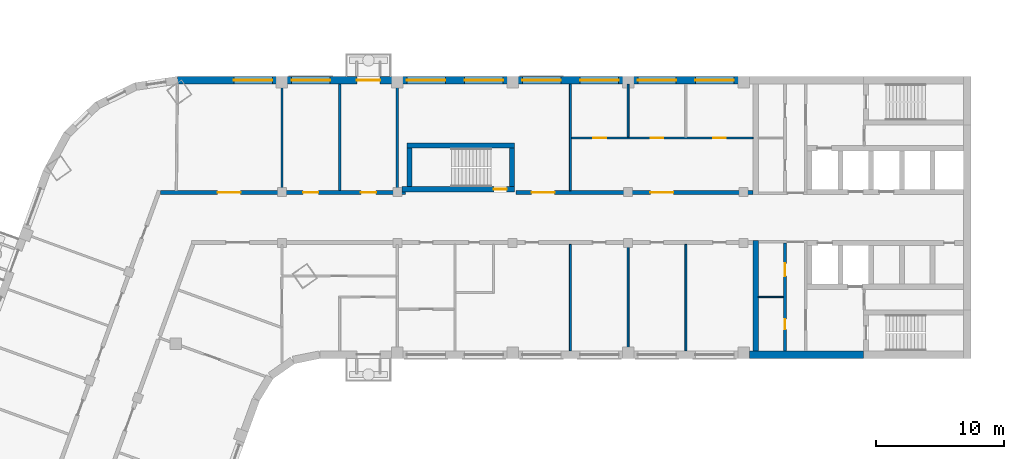
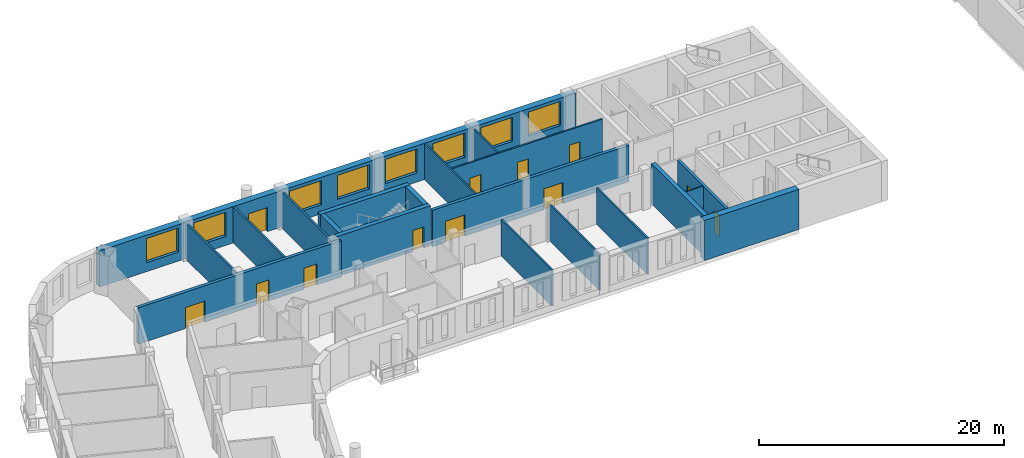
# One storey, part 5 of 16: 20 walls, 12 doors, 8 windows, 20 openings.
"""IFC4 building model written with IfcOpenShell, lengths in metres."""

from ifc_helpers import new_model, si_unit, direction, frame, frame_2d, origin, place, context, subcontext, project, spatial, rectangle, extrude, material, layer, layer_set, type_object, element, fill, save


model = new_model("IFC4")

# Units and contexts
model_context = context("Model", 3, precision=1e-05, world=origin(), true_north=direction((0.0, 1.0)))
body_context = subcontext(model_context, "Body", "Model", "MODEL_VIEW")
ifc_project = project(units=[si_unit("LENGTHUNIT", "METRE"), si_unit("AREAUNIT", "SQUARE_METRE"), si_unit("VOLUMEUNIT", "CUBIC_METRE"), si_unit("PLANEANGLEUNIT", "RADIAN"), si_unit("MASSUNIT", "GRAM", prefix="KILO")], contexts=[model_context])

# Site, building, storey
site_placement = place(None, origin())
site = spatial("IfcSite", under=ifc_project, at=site_placement, CompositionType="ELEMENT")
building_placement = place(site_placement, origin())
building = spatial("IfcBuilding", under=site, at=building_placement, Name="Skarvind Civic Tower", CompositionType="ELEMENT")
storey_placement = place(building_placement, frame((0.0, 0.0, 67.5)))
storey = spatial("IfcBuildingStorey", under=building, at=storey_placement, Name="L15", CompositionType="ELEMENT", Elevation=67.5)

# Walls
ifc_material_1 = material(Name="Acoustic gypsum board on steel studs", Category="steel")
ifc_layer_1 = layer(ifc_material_1, 0.175048828125)
ifc_layer_set_1 = layer_set([ifc_layer_1], Name="ACOUSTIC MEETING-ROOM PARTITION 175")
wall_type_1 = type_object("IfcWallType", Name="ACOUSTIC MEETING-ROOM PARTITION 175", PredefinedType="PARTITIONING", material=ifc_layer_set_1)
for number, where, z_axis, x_axis, name in (
    (1, (54.25, 138.39990234375, 0.0), (0.0, 0.0, 1.0), (0.0, -1.0, 0.0), "Partition 15.025"),
    (2, (58.75, 130.10009765625, 0.0), (0.0, 0.0, 1.0), (0.0, 1.0, 0.0), "Partition 15.027"),
):
    element("IfcWall", number, at=place(storey_placement, frame(where, z_axis=z_axis, x_axis=x_axis)), inside=storey, type_object=wall_type_1, Name=name, PredefinedType="PARTITIONING", context=body_context, shape_type="SweptSolid", body=[
        extrude(rectangle(XDim=8.2998046875, YDim=0.175048828125, at=frame_2d((4.14990234375, 0.0))), origin(), (0.0, 0.0, 1.0), 3.625),
    ])
wall_1_placement = place(storey_placement, frame((63.25, 130.10107421875, 0.0), z_axis=(0.0, 0.0, 1.0), x_axis=(0.0, 1.0, 0.0)))
element("IfcWall", 3, at=wall_1_placement, inside=storey, type_object=wall_type_1, Name="Partition 15.032", PredefinedType="PARTITIONING", context=body_context, shape_type="SweptSolid", body=[
    extrude(rectangle(XDim=8.2978515625, YDim=0.175048828125, at=frame_2d((4.14892578125, 0.0))), origin(), (0.0, 0.0, 1.0), 3.625),
])

# Wall, openings, doors
ifc_material_2 = material(Name="Fire-rated gypsum board on steel studs", Category="steel")
ifc_layer_2 = layer(ifc_material_2, 0.300048828125)
ifc_layer_set_2 = layer_set([ifc_layer_2], Name="CORRIDOR WALL 300")
wall_type_2 = type_object("IfcWallType", Name="CORRIDOR WALL 300", PredefinedType="PARTITIONING", material=ifc_layer_set_2)
wall_2_placement = place(storey_placement, frame((44.784912109375, 129.949951171875, 0.0), z_axis=(0.0, 0.0, 1.0), x_axis=(1.0, 0.0, 0.0)))
wall_2 = element("IfcWall", 4, at=wall_2_placement, inside=storey, type_object=wall_type_2, Name="Partition 15.014", PredefinedType="PARTITIONING", context=body_context, shape_type="SweptSolid", body=[
    extrude(rectangle(XDim=19.114990234375, YDim=0.300048828125, at=frame_2d((9.5576171875, 0.0))), origin(), (0.0, 0.0, 1.0), 3.625),
])
opening_1_placement = place(wall_2_placement, frame((15.614990234375, 0.0, 0.0)))
opening_1 = element("IfcOpeningElement", 5, at=opening_1_placement, cuts=wall_2, Name="Opening L15-D006", PredefinedType="OPENING", context=body_context, shape_type="SweptSolid", body=[
    extrude(rectangle(XDim=1.199951171875, YDim=2.10009765625, at=frame_2d((0.60009765625, 1.050048828125))), frame((0.0, 0.159912109375, 0.0), z_axis=(0.0, -1.0, 0.0), x_axis=(1.0, 0.0, 0.0)), (0.0, 0.0, 1.0), 0.320068359375),
])
opening_2_placement = place(wall_2_placement, frame((11.114990234375, 0.0, 0.0)))
opening_2 = element("IfcOpeningElement", 6, at=opening_2_placement, cuts=wall_2, Name="Opening L15-D007", PredefinedType="OPENING", context=body_context, shape_type="SweptSolid", body=[
    extrude(rectangle(XDim=1.199951171875, YDim=2.10009765625, at=frame_2d((0.60009765625, 1.050048828125))), frame((0.0, 0.159912109375, 0.0), z_axis=(0.0, -1.0, 0.0), x_axis=(1.0, 0.0, 0.0)), (0.0, 0.0, 1.0), 0.320068359375),
])
opening_3_placement = place(wall_2_placement, frame((4.448486328125, 0.0, 0.0)))
opening_3 = element("IfcOpeningElement", 7, at=opening_3_placement, cuts=wall_2, Name="Opening L15-D028", PredefinedType="OPENING", context=body_context, shape_type="SweptSolid", body=[
    extrude(rectangle(XDim=1.800048828125, YDim=2.10009765625, at=frame_2d((0.89990234375, 1.050048828125))), frame((0.0, 0.159912109375, 0.0), z_axis=(0.0, -1.0, 0.0), x_axis=(1.0, 0.0, 0.0)), (0.0, 0.0, 1.0), 0.320068359375),
])
ifc_material_3 = material(Name="Fire-rated timber door leaf", Category="wood")
door_type_1 = type_object("IfcDoorType", Name="FD4 1800x2100", OperationType="NOTDEFINED", PredefinedType="DOOR", material=ifc_material_3)
door_1_placement = place(opening_3_placement, origin())
door_1 = element("IfcDoor", 8, at=door_1_placement, inside=storey, type_object=door_type_1, Name="Door L15-D028", OperationType="DOUBLE_DOOR_SINGLE_SWING", OverallHeight=2.10009765625, OverallWidth=1.800048828125, PredefinedType="DOOR", context=body_context, shape_type="SweptSolid", body=[
    extrude(rectangle(XDim=1.800048828125, YDim=2.10009765625, at=frame_2d((0.89990234375, 1.050048828125))), frame((0.0, 0.02490234375, 0.0), z_axis=(0.0, -1.0, 0.0), x_axis=(1.0, 0.0, 0.0)), (0.0, 0.0, 1.0), 0.050048828125),
])
fill(opening_3, door_1)
door_type_2 = type_object("IfcDoorType", Name="FD6 1200x2100 DOUBLE", OperationType="NOTDEFINED", PredefinedType="DOOR", material=ifc_material_3)
door_2_placement = place(opening_1_placement, origin())
door_2 = element("IfcDoor", 9, at=door_2_placement, inside=storey, type_object=door_type_2, Name="Door L15-D006", OperationType="DOUBLE_DOOR_SINGLE_SWING", OverallHeight=2.10009765625, OverallWidth=1.199951171875, PredefinedType="DOOR", context=body_context, shape_type="SweptSolid", body=[
    extrude(rectangle(XDim=1.199951171875, YDim=2.10009765625, at=frame_2d((0.60009765625, 1.050048828125))), frame((0.0, 0.02490234375, 0.0), z_axis=(0.0, -1.0, 0.0), x_axis=(1.0, 0.0, 0.0)), (0.0, 0.0, 1.0), 0.050048828125),
])
fill(opening_1, door_2)
door_3_placement = place(opening_2_placement, origin())
door_3 = element("IfcDoor", 10, at=door_3_placement, inside=storey, type_object=door_type_2, Name="Door L15-D007", OperationType="DOUBLE_DOOR_SINGLE_SWING", OverallHeight=2.10009765625, OverallWidth=1.199951171875, PredefinedType="DOOR", context=body_context, shape_type="SweptSolid", body=[
    extrude(rectangle(XDim=1.199951171875, YDim=2.10009765625, at=frame_2d((0.60009765625, 1.050048828125))), frame((0.0, 0.02490234375, 0.0), z_axis=(0.0, -1.0, 0.0), x_axis=(1.0, 0.0, 0.0)), (0.0, 0.0, 1.0), 0.050048828125),
])
fill(opening_2, door_3)

wall_3_placement = place(storey_placement, frame((72.5, 129.949951171875, 0.0), z_axis=(0.0, 0.0, 1.0), x_axis=(1.0, 0.0, 0.0)))
wall_3 = element("IfcWall", 11, at=wall_3_placement, inside=storey, type_object=wall_type_2, Name="Partition 15.036", PredefinedType="PARTITIONING", context=body_context, shape_type="SweptSolid", body=[
    extrude(rectangle(XDim=18.5, YDim=0.300048828125, at=frame_2d((9.25, 0.0))), origin(), (0.0, 0.0, 1.0), 3.625),
])
opening_4_placement = place(wall_3_placement, frame((10.47509765625, 0.0, 0.0)))
opening_4 = element("IfcOpeningElement", 12, at=opening_4_placement, cuts=wall_3, Name="Opening L15-D004", PredefinedType="OPENING", context=body_context, shape_type="SweptSolid", body=[
    extrude(rectangle(XDim=1.800048828125, YDim=2.10009765625, at=frame_2d((0.89990234375, 1.050048828125))), frame((0.0, 0.159912109375, 0.0), z_axis=(0.0, -1.0, 0.0), x_axis=(1.0, 0.0, 0.0)), (0.0, 0.0, 1.0), 0.320068359375),
])
opening_5_placement = place(wall_3_placement, frame((1.22509765625, 0.0, 0.0)))
opening_5 = element("IfcOpeningElement", 13, at=opening_5_placement, cuts=wall_3, Name="Opening L15-D005", PredefinedType="OPENING", context=body_context, shape_type="SweptSolid", body=[
    extrude(rectangle(XDim=1.800048828125, YDim=2.10009765625, at=frame_2d((0.89990234375, 1.050048828125))), frame((0.0, 0.159912109375, 0.0), z_axis=(0.0, -1.0, 0.0), x_axis=(1.0, 0.0, 0.0)), (0.0, 0.0, 1.0), 0.320068359375),
])
door_4_placement = place(opening_4_placement, origin())
door_4 = element("IfcDoor", 14, at=door_4_placement, inside=storey, type_object=door_type_1, Name="Door L15-D004", OperationType="DOUBLE_DOOR_SINGLE_SWING", OverallHeight=2.10009765625, OverallWidth=1.800048828125, PredefinedType="DOOR", context=body_context, shape_type="SweptSolid", body=[
    extrude(rectangle(XDim=1.800048828125, YDim=2.10009765625, at=frame_2d((0.89990234375, 1.050048828125))), frame((0.0, 0.02490234375, 0.0), z_axis=(0.0, -1.0, 0.0), x_axis=(1.0, 0.0, 0.0)), (0.0, 0.0, 1.0), 0.050048828125),
])
fill(opening_4, door_4)
door_5_placement = place(opening_5_placement, origin())
door_5 = element("IfcDoor", 15, at=door_5_placement, inside=storey, type_object=door_type_1, Name="Door L15-D005", OperationType="DOUBLE_DOOR_SINGLE_SWING", OverallHeight=2.10009765625, OverallWidth=1.800048828125, PredefinedType="DOOR", context=body_context, shape_type="SweptSolid", body=[
    extrude(rectangle(XDim=1.800048828125, YDim=2.10009765625, at=frame_2d((0.89990234375, 1.050048828125))), frame((0.0, 0.02490234375, 0.0), z_axis=(0.0, -1.0, 0.0), x_axis=(1.0, 0.0, 0.0)), (0.0, 0.0, 1.0), 0.050048828125),
])
fill(opening_5, door_5)

# Walls
ifc_material_4 = material(Name="Fire-rated plasterboard partition")
ifc_layer_3 = layer(ifc_material_4, 0.10009765625)
ifc_layer_set_3 = layer_set([ifc_layer_3], Name="Core partition wall 100")
wall_type_3 = type_object("IfcWallType", Name="Core partition wall 100", PredefinedType="PARTITIONING", material=ifc_layer_set_3)
wall_4_placement = place(storey_placement, frame((93.35009765625, 121.800048828125, 0.0), z_axis=(0.0, 0.0, 1.0), x_axis=(-1.0, 0.0, 0.0)))
element("IfcWall", 16, at=wall_4_placement, inside=storey, type_object=wall_type_3, Name="Core wall C1", PredefinedType="PARTITIONING", context=body_context, shape_type="SweptSolid", body=[
    extrude(rectangle(XDim=1.9501953125, YDim=0.10009765625, at=frame_2d((0.97509765625, 0.0))), origin(), (0.0, 0.0, 1.0), 3.625),
])
ifc_material_5 = material(Name="Concrete C80", Category="concrete")
ifc_layer_4 = layer(ifc_material_5, 0.39990234375)
ifc_layer_set_4 = layer_set([ifc_layer_4], Name="Core wall 400 C80")
wall_type_4 = type_object("IfcWallType", Name="Core wall 400 C80", PredefinedType="SHEAR", material=ifc_layer_set_4)
wall_5_placement = place(storey_placement, frame((91.199951171875, 126.199951171875, 0.0), z_axis=(0.0, 0.0, 1.0), x_axis=(0.0, -1.0, 0.0)))
element("IfcWall", 17, at=wall_5_placement, inside=storey, type_object=wall_type_4, Name="Core wall C1 north inner face L15", PredefinedType="SHEAR", context=body_context, shape_type="SweptSolid", body=[
    extrude(rectangle(XDim=8.599853515625, YDim=0.39990234375, at=frame_2d((4.2998046875, 0.0))), origin(), (0.0, 0.0, 1.0), 4.0),
])

# Wall, opening, door
wall_6_placement = place(storey_placement, frame((63.60009765625, 130.199951171875, 0.0), z_axis=(0.0, 0.0, 1.0), x_axis=(1.0, 0.0, 0.0)))
wall_6 = element("IfcWall", 18, at=wall_6_placement, inside=storey, type_object=wall_type_4, Name="Core wall CM inner L15", PredefinedType="SHEAR", context=body_context, shape_type="SweptSolid", body=[
    extrude(rectangle(XDim=8.7998046875, YDim=0.39990234375, at=frame_2d((4.39990234375, 0.0))), origin(), (0.0, 0.0, 1.0), 4.0),
])
opening_6_placement = place(wall_6_placement, frame((7.175048828125, 0.0, 0.0)))
opening_6 = element("IfcOpeningElement", 19, at=opening_6_placement, cuts=wall_6, Name="Opening D-L15-CM-01", PredefinedType="OPENING", context=body_context, shape_type="SweptSolid", body=[
    extrude(rectangle(XDim=1.0, YDim=2.10009765625, at=frame_2d((0.5, 1.050048828125))), frame((0.0, 0.2099609375, 0.0), z_axis=(0.0, -1.0, 0.0), x_axis=(1.0, 0.0, 0.0)), (0.0, 0.0, 1.0), 0.419921875),
])
ifc_material_6 = material(Name="Fire-rated steel door", Category="steel")
door_type_3 = type_object("IfcDoorType", Name="Fire door 1000", OperationType="NOTDEFINED", PredefinedType="DOOR", material=ifc_material_6)
door_6_placement = place(opening_6_placement, origin())
door_6 = element("IfcDoor", 20, at=door_6_placement, inside=storey, type_object=door_type_3, Name="Fire door", OperationType="SINGLE_SWING_LEFT", OverallHeight=2.10009765625, OverallWidth=1.0, PredefinedType="DOOR", context=body_context, shape_type="SweptSolid", body=[
    extrude(rectangle(XDim=1.0, YDim=2.10009765625, at=frame_2d((0.5, 1.050048828125))), frame((0.0, 0.02490234375, 0.0), z_axis=(0.0, -1.0, 0.0), x_axis=(1.0, 0.0, 0.0)), (0.0, 0.0, 1.0), 0.050048828125),
])
fill(opening_6, door_6)

# Walls
wall_7_placement = place(storey_placement, frame((64.0, 133.60009765625, 0.0), z_axis=(0.0, 0.0, 1.0), x_axis=(1.0, 0.0, 0.0)))
element("IfcWall", 21, at=wall_7_placement, inside=storey, type_object=wall_type_4, Name="Core wall CM outer L15", PredefinedType="SHEAR", context=body_context, shape_type="SweptSolid", body=[
    extrude(rectangle(XDim=8.39990234375, YDim=0.39990234375, at=frame_2d((4.199951171875, 0.0))), origin(), (0.0, 0.0, 1.0), 4.0),
])
for number, where, z_axis, x_axis, name in (
    (22, (64.199951171875, 130.39990234375, 0.0), (0.0, 0.0, 1.0), (0.0, 1.0, 0.0), "Core wall CM west L15"),
    (23, (72.199951171875, 130.39990234375, 0.0), (0.0, 0.0, 1.0), (0.0, 1.0, 0.0), "Core wall CM end L15"),
):
    element("IfcWall", number, at=place(storey_placement, frame(where, z_axis=z_axis, x_axis=x_axis)), inside=storey, type_object=wall_type_4, Name=name, PredefinedType="SHEAR", context=body_context, shape_type="SweptSolid", body=[
        extrude(rectangle(XDim=3.0, YDim=0.39990234375, at=frame_2d((1.5, 0.0))), origin(), (0.0, 0.0, 1.0), 4.0),
    ])
ifc_layer_5 = layer(ifc_material_5, 0.60009765625)
ifc_layer_set_5 = layer_set([ifc_layer_5], Name="Core wall 600 C80")
wall_type_5 = type_object("IfcWallType", Name="Core wall 600 C80", PredefinedType="SHEAR", material=ifc_layer_set_5)
wall_8_placement = place(storey_placement, frame((99.60009765625, 117.300048828125, 0.0), z_axis=(0.0, 0.0, 1.0), x_axis=(-1.0, 0.0, 0.0)))
element("IfcWall", 24, at=wall_8_placement, inside=storey, type_object=wall_type_5, Name="Core wall C1 north side L15", PredefinedType="SHEAR", context=body_context, shape_type="SweptSolid", body=[
    extrude(rectangle(XDim=8.900146484375, YDim=0.60009765625, at=frame_2d((4.4501953125, 0.0))), origin(), (0.0, 0.0, 1.0), 4.0),
])
ifc_material_7 = material(Name="Plasterboard partition on steel studs", Category="steel")
ifc_layer_6 = layer(ifc_material_7, 0.14990234375)
ifc_layer_set_6 = layer_set([ifc_layer_6], Name="PARTITION 150")
wall_type_6 = type_object("IfcWallType", Name="PARTITION 150", PredefinedType="PARTITIONING", material=ifc_layer_set_6)
for number, where, z_axis, x_axis, name in (
    (25, (76.75, 117.60009765625, 0.0), (0.0, 0.0, 1.0), (0.0, 1.0, 0.0), "Partition 15.037"),
    (26, (76.75, 130.10009765625, 0.0), (0.0, 0.0, 1.0), (0.0, 1.0, 0.0), "Partition 15.038"),
):
    element("IfcWall", number, at=place(storey_placement, frame(where, z_axis=z_axis, x_axis=x_axis)), inside=storey, type_object=wall_type_6, Name=name, PredefinedType="PARTITIONING", context=body_context, shape_type="SweptSolid", body=[
        extrude(rectangle(XDim=8.2998046875, YDim=0.14990234375, at=frame_2d((4.14990234375, 0.0))), origin(), (0.0, 0.0, 1.0), 3.625),
    ])

# Wall, openings, doors
wall_9_placement = place(storey_placement, frame((91.0, 134.199951171875, 0.0), z_axis=(0.0, 0.0, 1.0), x_axis=(-1.0, 0.0, 0.0)))
wall_9 = element("IfcWall", 27, at=wall_9_placement, inside=storey, type_object=wall_type_6, Name="Partition 15.039", PredefinedType="PARTITIONING", context=body_context, shape_type="SweptSolid", body=[
    extrude(rectangle(XDim=14.175048828125, YDim=0.14990234375, at=frame_2d((7.08740234375, 0.0))), origin(), (0.0, 0.0, 1.0), 3.625),
])
opening_7_placement = place(wall_9_placement, frame((2.125, 0.0, 0.0)))
opening_7 = element("IfcOpeningElement", 28, at=opening_7_placement, cuts=wall_9, Name="Opening L15-D001", PredefinedType="OPENING", context=body_context, shape_type="SweptSolid", body=[
    extrude(rectangle(XDim=1.0, YDim=2.10009765625, at=frame_2d((0.5, 1.050048828125))), frame((0.0, 0.0849609375, 0.0), z_axis=(0.0, -1.0, 0.0), x_axis=(1.0, 0.0, 0.0)), (0.0, 0.0, 1.0), 0.169921875),
])
opening_8_placement = place(wall_9_placement, frame((7.0, 0.0, 0.0)))
opening_8 = element("IfcOpeningElement", 29, at=opening_8_placement, cuts=wall_9, Name="Opening L15-D002", PredefinedType="OPENING", context=body_context, shape_type="SweptSolid", body=[
    extrude(rectangle(XDim=1.0, YDim=2.10009765625, at=frame_2d((0.5, 1.050048828125))), frame((0.0, 0.0849609375, 0.0), z_axis=(0.0, -1.0, 0.0), x_axis=(1.0, 0.0, 0.0)), (0.0, 0.0, 1.0), 0.169921875),
])
opening_9_placement = place(wall_9_placement, frame((11.472412109375, 0.0, 0.0)))
opening_9 = element("IfcOpeningElement", 30, at=opening_9_placement, cuts=wall_9, Name="Opening L15-D003", PredefinedType="OPENING", context=body_context, shape_type="SweptSolid", body=[
    extrude(rectangle(XDim=1.0, YDim=2.10009765625, at=frame_2d((0.5, 1.050048828125))), frame((0.0, 0.0849609375, 0.0), z_axis=(0.0, -1.0, 0.0), x_axis=(1.0, 0.0, 0.0)), (0.0, 0.0, 1.0), 0.169921875),
])
ifc_material_8 = material(Name="Timber door leaf", Category="wood")
door_type_4 = type_object("IfcDoorType", Name="D1 1000x2100", OperationType="NOTDEFINED", PredefinedType="DOOR", material=ifc_material_8)
door_7_placement = place(opening_7_placement, origin())
door_7 = element("IfcDoor", 31, at=door_7_placement, inside=storey, type_object=door_type_4, Name="Door L15-D001", OperationType="SINGLE_SWING_LEFT", OverallHeight=2.10009765625, OverallWidth=1.0, PredefinedType="DOOR", context=body_context, shape_type="SweptSolid", body=[
    extrude(rectangle(XDim=1.0, YDim=2.10009765625, at=frame_2d((0.5, 1.050048828125))), frame((0.0, 0.02490234375, 0.0), z_axis=(0.0, -1.0, 0.0), x_axis=(1.0, 0.0, 0.0)), (0.0, 0.0, 1.0), 0.050048828125),
])
fill(opening_7, door_7)
door_8_placement = place(opening_8_placement, origin())
door_8 = element("IfcDoor", 32, at=door_8_placement, inside=storey, type_object=door_type_4, Name="Door L15-D002", OperationType="SINGLE_SWING_RIGHT", OverallHeight=2.10009765625, OverallWidth=1.0, PredefinedType="DOOR", context=body_context, shape_type="SweptSolid", body=[
    extrude(rectangle(XDim=1.0, YDim=2.10009765625, at=frame_2d((0.5, 1.050048828125))), frame((0.0, 0.02490234375, 0.0), z_axis=(0.0, -1.0, 0.0), x_axis=(1.0, 0.0, 0.0)), (0.0, 0.0, 1.0), 0.050048828125),
])
fill(opening_8, door_8)
door_9_placement = place(opening_9_placement, origin())
door_9 = element("IfcDoor", 33, at=door_9_placement, inside=storey, type_object=door_type_4, Name="Door L15-D003", OperationType="SINGLE_SWING_LEFT", OverallHeight=2.10009765625, OverallWidth=1.0, PredefinedType="DOOR", context=body_context, shape_type="SweptSolid", body=[
    extrude(rectangle(XDim=1.0, YDim=2.10009765625, at=frame_2d((0.5, 1.050048828125))), frame((0.0, 0.02490234375, 0.0), z_axis=(0.0, -1.0, 0.0), x_axis=(1.0, 0.0, 0.0)), (0.0, 0.0, 1.0), 0.050048828125),
])
fill(opening_9, door_9)

# Walls
wall_10_placement = place(storey_placement, frame((81.25, 117.60009765625, 0.0), z_axis=(0.0, 0.0, 1.0), x_axis=(0.0, 1.0, 0.0)))
element("IfcWall", 34, at=wall_10_placement, inside=storey, type_object=wall_type_6, Name="Partition 15.040", PredefinedType="PARTITIONING", context=body_context, shape_type="SweptSolid", body=[
    extrude(rectangle(XDim=8.2998046875, YDim=0.14990234375, at=frame_2d((4.14990234375, 0.0))), origin(), (0.0, 0.0, 1.0), 3.625),
])
wall_11_placement = place(storey_placement, frame((81.25, 134.27490234375, 0.0), z_axis=(0.0, 0.0, 1.0), x_axis=(0.0, 1.0, 0.0)))
element("IfcWall", 35, at=wall_11_placement, inside=storey, type_object=wall_type_6, Name="Partition 15.041", PredefinedType="PARTITIONING", context=body_context, shape_type="SweptSolid", body=[
    extrude(rectangle(XDim=4.125, YDim=0.14990234375, at=frame_2d((2.0625, 0.0))), origin(), (0.0, 0.0, 1.0), 3.625),
])
wall_12_placement = place(storey_placement, frame((85.75, 117.60009765625, 0.0), z_axis=(0.0, 0.0, 1.0), x_axis=(0.0, 1.0, 0.0)))
element("IfcWall", 36, at=wall_12_placement, inside=storey, type_object=wall_type_6, Name="Partition 15.042", PredefinedType="PARTITIONING", context=body_context, shape_type="SweptSolid", body=[
    extrude(rectangle(XDim=8.2998046875, YDim=0.14990234375, at=frame_2d((4.14990234375, 0.0))), origin(), (0.0, 0.0, 1.0), 3.625),
])

# Wall, openings, doors
ifc_material_9 = material(Name="Fire-rated masonry partition", Category="masonry")
ifc_layer_7 = layer(ifc_material_9, 0.25)
ifc_layer_set_7 = layer_set([ifc_layer_7], Name="Service block wall 250")
wall_type_7 = type_object("IfcWallType", Name="Service block wall 250", PredefinedType="PARTITIONING", material=ifc_layer_set_7)
wall_13_placement = place(storey_placement, frame((93.47509765625, 117.60009765625, 0.0), z_axis=(0.0, 0.0, 1.0), x_axis=(0.0, 1.0, 0.0)))
wall_13 = element("IfcWall", 37, at=wall_13_placement, inside=storey, type_object=wall_type_7, Name="Core wall C1", PredefinedType="PARTITIONING", context=body_context, shape_type="SweptSolid", body=[
    extrude(rectangle(XDim=8.39990234375, YDim=0.25, at=frame_2d((4.199951171875, 0.0))), origin(), (0.0, 0.0, 1.0), 3.625),
])
opening_10_placement = place(wall_13_placement, frame((5.824951171875, 0.0, 0.0)))
opening_10 = element("IfcOpeningElement", 38, at=opening_10_placement, cuts=wall_13, Name="Opening D-L15-C1-09", PredefinedType="OPENING", context=body_context, shape_type="SweptSolid", body=[
    extrude(rectangle(XDim=1.0, YDim=2.10009765625, at=frame_2d((0.5, 1.050048828125))), frame((0.0, 0.135009765625, 0.0), z_axis=(0.0, -1.0, 0.0), x_axis=(1.0, 0.0, 0.0)), (0.0, 0.0, 1.0), 0.27001953125),
])
opening_11_placement = place(wall_13_placement, frame((1.675048828125, 0.0, 0.0)))
opening_11 = element("IfcOpeningElement", 39, at=opening_11_placement, cuts=wall_13, Name="Opening D-L15-C1-10", PredefinedType="OPENING", context=body_context, shape_type="SweptSolid", body=[
    extrude(rectangle(XDim=0.800048828125, YDim=2.10009765625, at=frame_2d((0.39990234375, 1.050048828125))), frame((0.0, 0.135009765625, 0.0), z_axis=(0.0, -1.0, 0.0), x_axis=(1.0, 0.0, 0.0)), (0.0, 0.0, 1.0), 0.27001953125),
])
door_type_5 = type_object("IfcDoorType", Name="Core riser door 800", OperationType="NOTDEFINED", PredefinedType="DOOR", material=ifc_material_6)
door_10_placement = place(opening_11_placement, origin())
door_10 = element("IfcDoor", 40, at=door_10_placement, inside=storey, type_object=door_type_5, Name="Riser door", OperationType="SINGLE_SWING_RIGHT", OverallHeight=2.10009765625, OverallWidth=0.800048828125, PredefinedType="DOOR", context=body_context, shape_type="SweptSolid", body=[
    extrude(rectangle(XDim=0.800048828125, YDim=2.10009765625, at=frame_2d((0.39990234375, 1.050048828125))), frame((0.0, 0.02490234375, 0.0), z_axis=(0.0, -1.0, 0.0), x_axis=(1.0, 0.0, 0.0)), (0.0, 0.0, 1.0), 0.050048828125),
])
fill(opening_11, door_10)
door_11_placement = place(opening_10_placement, origin())
door_11 = element("IfcDoor", 41, at=door_11_placement, inside=storey, type_object=door_type_3, Name="Fire door", OperationType="SINGLE_SWING_LEFT", OverallHeight=2.10009765625, OverallWidth=1.0, PredefinedType="DOOR", context=body_context, shape_type="SweptSolid", body=[
    extrude(rectangle(XDim=1.0, YDim=2.10009765625, at=frame_2d((0.5, 1.050048828125))), frame((0.0, 0.02490234375, 0.0), z_axis=(0.0, -1.0, 0.0), x_axis=(1.0, 0.0, 0.0)), (0.0, 0.0, 1.0), 0.050048828125),
])
fill(opening_10, door_11)

# Wall, openings, door, windows
ifc_material_10 = material(Name="Limestone masonry cladding on insulated backing", Category="masonry")
ifc_layer_8 = layer(ifc_material_10, 0.60009765625)
ifc_layer_set_8 = layer_set([ifc_layer_8], Name="WX1 STONE FACADE WALL 600")
wall_type_8 = type_object("IfcWallType", Name="WX1 STONE FACADE WALL 600", PredefinedType="SOLIDWALL", material=ifc_layer_set_8)
wall_14_placement = place(storey_placement, frame((46.095458984375, 138.699951171875, 0.0), z_axis=(0.0, 0.0, 1.0), x_axis=(1.0, 0.0, 0.0)))
wall_14 = element("IfcWall", 42, at=wall_14_placement, inside=storey, type_object=wall_type_8, Name="STONE FACADE WALL", PredefinedType="SOLIDWALL", context=body_context, shape_type="SweptSolid", body=[
    extrude(rectangle(XDim=44.884521484375, YDim=0.60009765625, at=frame_2d((22.4423828125, 0.0))), origin(), (0.0, 0.0, 1.0), 3.625),
])
opening_12_placement = place(wall_14_placement, frame((4.404541015625, 0.0, 0.89990234375)))
opening_12 = element("IfcOpeningElement", 43, at=opening_12_placement, cuts=wall_14, Name="Opening WN1", PredefinedType="OPENING", context=body_context, shape_type="SweptSolid", body=[
    extrude(rectangle(XDim=3.0, YDim=2.39990234375, at=frame_2d((1.5, 1.199951171875))), frame((0.0, 0.31005859375, 0.0), z_axis=(0.0, -1.0, 0.0), x_axis=(1.0, 0.0, 0.0)), (0.0, 0.0, 1.0), 0.6201171875),
])
opening_13_placement = place(wall_14_placement, frame((8.904541015625, 0.0, 0.89990234375)))
opening_13 = element("IfcOpeningElement", 44, at=opening_13_placement, cuts=wall_14, Name="Opening WN1", PredefinedType="OPENING", context=body_context, shape_type="SweptSolid", body=[
    extrude(rectangle(XDim=3.0, YDim=2.39990234375, at=frame_2d((1.5, 1.199951171875))), frame((0.0, 0.31005859375, 0.0), z_axis=(0.0, -1.0, 0.0), x_axis=(1.0, 0.0, 0.0)), (0.0, 0.0, 1.0), 0.6201171875),
])
opening_14_placement = place(wall_14_placement, frame((14.00439453125, 0.0, 0.0)))
opening_14 = element("IfcOpeningElement", 45, at=opening_14_placement, cuts=wall_14, Name="Opening DX3", PredefinedType="OPENING", context=body_context, shape_type="SweptSolid", body=[
    extrude(rectangle(XDim=1.800048828125, YDim=2.39990234375, at=frame_2d((0.89990234375, 1.199951171875))), frame((0.0, 0.31005859375, 0.0), z_axis=(0.0, -1.0, 0.0), x_axis=(1.0, 0.0, 0.0)), (0.0, 0.0, 1.0), 0.6201171875),
])
opening_15_placement = place(wall_14_placement, frame((17.904541015625, 0.0, 0.89990234375)))
opening_15 = element("IfcOpeningElement", 46, at=opening_15_placement, cuts=wall_14, Name="Opening WN1", PredefinedType="OPENING", context=body_context, shape_type="SweptSolid", body=[
    extrude(rectangle(XDim=3.0, YDim=2.39990234375, at=frame_2d((1.5, 1.199951171875))), frame((0.0, 0.31005859375, 0.0), z_axis=(0.0, -1.0, 0.0), x_axis=(1.0, 0.0, 0.0)), (0.0, 0.0, 1.0), 0.6201171875),
])
opening_16_placement = place(wall_14_placement, frame((22.404541015625, 0.0, 0.89990234375)))
opening_16 = element("IfcOpeningElement", 47, at=opening_16_placement, cuts=wall_14, Name="Opening WN1", PredefinedType="OPENING", context=body_context, shape_type="SweptSolid", body=[
    extrude(rectangle(XDim=3.0, YDim=2.39990234375, at=frame_2d((1.5, 1.199951171875))), frame((0.0, 0.31005859375, 0.0), z_axis=(0.0, -1.0, 0.0), x_axis=(1.0, 0.0, 0.0)), (0.0, 0.0, 1.0), 0.6201171875),
])
opening_17_placement = place(wall_14_placement, frame((26.904541015625, 0.0, 0.89990234375)))
opening_17 = element("IfcOpeningElement", 48, at=opening_17_placement, cuts=wall_14, Name="Opening WN1", PredefinedType="OPENING", context=body_context, shape_type="SweptSolid", body=[
    extrude(rectangle(XDim=3.0, YDim=2.39990234375, at=frame_2d((1.5, 1.199951171875))), frame((0.0, 0.31005859375, 0.0), z_axis=(0.0, -1.0, 0.0), x_axis=(1.0, 0.0, 0.0)), (0.0, 0.0, 1.0), 0.6201171875),
])
opening_18_placement = place(wall_14_placement, frame((31.404541015625, 0.0, 0.89990234375)))
opening_18 = element("IfcOpeningElement", 49, at=opening_18_placement, cuts=wall_14, Name="Opening WN1", PredefinedType="OPENING", context=body_context, shape_type="SweptSolid", body=[
    extrude(rectangle(XDim=3.0, YDim=2.39990234375, at=frame_2d((1.5, 1.199951171875))), frame((0.0, 0.31005859375, 0.0), z_axis=(0.0, -1.0, 0.0), x_axis=(1.0, 0.0, 0.0)), (0.0, 0.0, 1.0), 0.6201171875),
])
opening_19_placement = place(wall_14_placement, frame((35.904541015625, 0.0, 0.89990234375)))
opening_19 = element("IfcOpeningElement", 50, at=opening_19_placement, cuts=wall_14, Name="Opening WN1", PredefinedType="OPENING", context=body_context, shape_type="SweptSolid", body=[
    extrude(rectangle(XDim=3.0, YDim=2.39990234375, at=frame_2d((1.5, 1.199951171875))), frame((0.0, 0.31005859375, 0.0), z_axis=(0.0, -1.0, 0.0), x_axis=(1.0, 0.0, 0.0)), (0.0, 0.0, 1.0), 0.6201171875),
])
opening_20_placement = place(wall_14_placement, frame((40.404541015625, 0.0, 0.89990234375)))
opening_20 = element("IfcOpeningElement", 51, at=opening_20_placement, cuts=wall_14, Name="Opening WN1", PredefinedType="OPENING", context=body_context, shape_type="SweptSolid", body=[
    extrude(rectangle(XDim=3.0, YDim=2.39990234375, at=frame_2d((1.5, 1.199951171875))), frame((0.0, 0.31005859375, 0.0), z_axis=(0.0, -1.0, 0.0), x_axis=(1.0, 0.0, 0.0)), (0.0, 0.0, 1.0), 0.6201171875),
])
ifc_material_11 = material(Name="Timber and glass doorset", Category="wood")
door_type_6 = type_object("IfcDoorType", Name="DX3 TERRACE DOORS 1800 x 2400", OperationType="NOTDEFINED", PredefinedType="DOOR", material=ifc_material_11)
door_12_placement = place(opening_14_placement, origin())
door_12 = element("IfcDoor", 52, at=door_12_placement, inside=storey, type_object=door_type_6, Name="TERRACE DOORS", OperationType="DOUBLE_DOOR_SINGLE_SWING", OverallHeight=2.39990234375, OverallWidth=1.800048828125, PredefinedType="DOOR", context=body_context, shape_type="SweptSolid", body=[
    extrude(rectangle(XDim=1.800048828125, YDim=2.39990234375, at=frame_2d((0.89990234375, 1.199951171875))), frame((0.0, 0.02490234375, 0.0), z_axis=(0.0, -1.0, 0.0), x_axis=(1.0, 0.0, 0.0)), (0.0, 0.0, 1.0), 0.050048828125),
])
fill(opening_14, door_12)
ifc_material_12 = material(Name="Timber frame, double glazing, timber-lined reveal", Category="wood")
window_type = type_object("IfcWindowType", Name="WN1 PUNCHED STONE WINDOW 3000 x 2400", PartitioningType="SINGLE_PANEL", PredefinedType="WINDOW", material=ifc_material_12)
window_1_placement = place(opening_12_placement, origin())
window_1 = element("IfcWindow", 53, at=window_1_placement, inside=storey, type_object=window_type, Name="WN1 WINDOW", OverallHeight=2.39990234375, OverallWidth=3.0, PartitioningType="SINGLE_PANEL", PredefinedType="WINDOW", context=body_context, shape_type="SweptSolid", body=[
    extrude(rectangle(XDim=3.0, YDim=2.39990234375, at=frame_2d((1.5, 1.199951171875))), frame((0.0, 0.030029296875, 0.0), z_axis=(0.0, -1.0, 0.0), x_axis=(1.0, 0.0, 0.0)), (0.0, 0.0, 1.0), 0.06005859375),
])
fill(opening_12, window_1)
window_2_placement = place(opening_13_placement, origin())
window_2 = element("IfcWindow", 54, at=window_2_placement, inside=storey, type_object=window_type, Name="WN1 WINDOW", OverallHeight=2.39990234375, OverallWidth=3.0, PartitioningType="SINGLE_PANEL", PredefinedType="WINDOW", context=body_context, shape_type="SweptSolid", body=[
    extrude(rectangle(XDim=3.0, YDim=2.39990234375, at=frame_2d((1.5, 1.199951171875))), frame((0.0, 0.030029296875, 0.0), z_axis=(0.0, -1.0, 0.0), x_axis=(1.0, 0.0, 0.0)), (0.0, 0.0, 1.0), 0.06005859375),
])
fill(opening_13, window_2)
window_3_placement = place(opening_15_placement, origin())
window_3 = element("IfcWindow", 55, at=window_3_placement, inside=storey, type_object=window_type, Name="WN1 WINDOW", OverallHeight=2.39990234375, OverallWidth=3.0, PartitioningType="SINGLE_PANEL", PredefinedType="WINDOW", context=body_context, shape_type="SweptSolid", body=[
    extrude(rectangle(XDim=3.0, YDim=2.39990234375, at=frame_2d((1.5, 1.199951171875))), frame((0.0, 0.030029296875, 0.0), z_axis=(0.0, -1.0, 0.0), x_axis=(1.0, 0.0, 0.0)), (0.0, 0.0, 1.0), 0.06005859375),
])
fill(opening_15, window_3)
window_4_placement = place(opening_16_placement, origin())
window_4 = element("IfcWindow", 56, at=window_4_placement, inside=storey, type_object=window_type, Name="WN1 WINDOW", OverallHeight=2.39990234375, OverallWidth=3.0, PartitioningType="SINGLE_PANEL", PredefinedType="WINDOW", context=body_context, shape_type="SweptSolid", body=[
    extrude(rectangle(XDim=3.0, YDim=2.39990234375, at=frame_2d((1.5, 1.199951171875))), frame((0.0, 0.030029296875, 0.0), z_axis=(0.0, -1.0, 0.0), x_axis=(1.0, 0.0, 0.0)), (0.0, 0.0, 1.0), 0.06005859375),
])
fill(opening_16, window_4)
window_5_placement = place(opening_17_placement, origin())
window_5 = element("IfcWindow", 57, at=window_5_placement, inside=storey, type_object=window_type, Name="WN1 WINDOW", OverallHeight=2.39990234375, OverallWidth=3.0, PartitioningType="SINGLE_PANEL", PredefinedType="WINDOW", context=body_context, shape_type="SweptSolid", body=[
    extrude(rectangle(XDim=3.0, YDim=2.39990234375, at=frame_2d((1.5, 1.199951171875))), frame((0.0, 0.030029296875, 0.0), z_axis=(0.0, -1.0, 0.0), x_axis=(1.0, 0.0, 0.0)), (0.0, 0.0, 1.0), 0.06005859375),
])
fill(opening_17, window_5)
window_6_placement = place(opening_18_placement, origin())
window_6 = element("IfcWindow", 58, at=window_6_placement, inside=storey, type_object=window_type, Name="WN1 WINDOW", OverallHeight=2.39990234375, OverallWidth=3.0, PartitioningType="SINGLE_PANEL", PredefinedType="WINDOW", context=body_context, shape_type="SweptSolid", body=[
    extrude(rectangle(XDim=3.0, YDim=2.39990234375, at=frame_2d((1.5, 1.199951171875))), frame((0.0, 0.030029296875, 0.0), z_axis=(0.0, -1.0, 0.0), x_axis=(1.0, 0.0, 0.0)), (0.0, 0.0, 1.0), 0.06005859375),
])
fill(opening_18, window_6)
window_7_placement = place(opening_19_placement, origin())
window_7 = element("IfcWindow", 59, at=window_7_placement, inside=storey, type_object=window_type, Name="WN1 WINDOW", OverallHeight=2.39990234375, OverallWidth=3.0, PartitioningType="SINGLE_PANEL", PredefinedType="WINDOW", context=body_context, shape_type="SweptSolid", body=[
    extrude(rectangle(XDim=3.0, YDim=2.39990234375, at=frame_2d((1.5, 1.199951171875))), frame((0.0, 0.030029296875, 0.0), z_axis=(0.0, -1.0, 0.0), x_axis=(1.0, 0.0, 0.0)), (0.0, 0.0, 1.0), 0.06005859375),
])
fill(opening_19, window_7)
window_8_placement = place(opening_20_placement, origin())
window_8 = element("IfcWindow", 60, at=window_8_placement, inside=storey, type_object=window_type, Name="WN1 WINDOW", OverallHeight=2.39990234375, OverallWidth=3.0, PartitioningType="SINGLE_PANEL", PredefinedType="WINDOW", context=body_context, shape_type="SweptSolid", body=[
    extrude(rectangle(XDim=3.0, YDim=2.39990234375, at=frame_2d((1.5, 1.199951171875))), frame((0.0, 0.030029296875, 0.0), z_axis=(0.0, -1.0, 0.0), x_axis=(1.0, 0.0, 0.0)), (0.0, 0.0, 1.0), 0.06005859375),
])
fill(opening_20, window_8)

save(model, "model.ifc")
